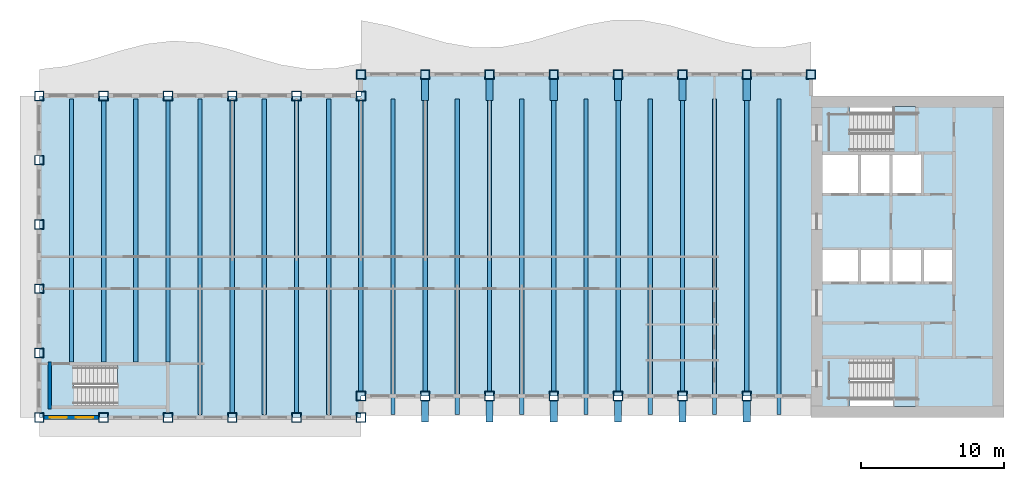
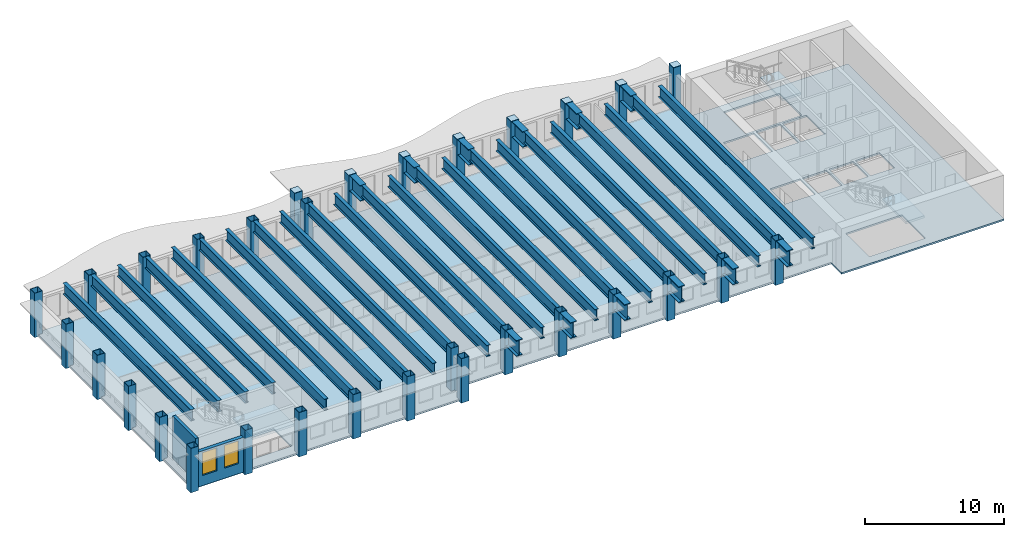
# One storey, part 1 of 12: 35 beams, 31 columns, 8 plates, 4 slabs, 2 walls, 2 windows, 2 openings, 3 elements without a shape of their own.
"""IFC4 building model written with IfcOpenShell, lengths in metres."""

from ifc_helpers import new_model, si_unit, direction, frame, frame_2d, origin, origin_2d, place, context, subcontext, project, spatial, polyline, rectangle, hollow_rectangle, i_section, outline, extrude, material, layer, layer_set, material_profile, profile_set, type_object, element, fill, aggregate, save


model = new_model("IFC4")

# Units and contexts
model_context = context("Model", 3, precision=1e-05, world=origin(), true_north=direction((0.0, 1.0)))
body_context = subcontext(model_context, "Body", "Model", "MODEL_VIEW")
ifc_project = project(units=[si_unit("LENGTHUNIT", "METRE"), si_unit("AREAUNIT", "SQUARE_METRE"), si_unit("VOLUMEUNIT", "CUBIC_METRE"), si_unit("PLANEANGLEUNIT", "RADIAN"), si_unit("MASSUNIT", "GRAM", prefix="KILO")], contexts=[model_context])

# Site, building, storey
site_placement = place(None, origin())
site = spatial("IfcSite", under=ifc_project, at=site_placement, CompositionType="ELEMENT")
building_placement = place(site_placement, origin())
building = spatial("IfcBuilding", under=site, at=building_placement, Name="Sennacour Bend Tower", CompositionType="ELEMENT")
storey_placement = place(building_placement, frame((0.0, 0.0, 293.0)))
storey = spatial("IfcBuildingStorey", under=building, at=storey_placement, Name="L68", CompositionType="ELEMENT", Elevation=293.0)

# Columns
ifc_material_1 = material(Name="Steel ASTM A572 Grade 50", Category="steel")
ifc_material_profile_1 = material_profile(ifc_material_1, hollow_rectangle(XDim=0.64990234375, YDim=0.64990234375, WallThickness=0.031982421875, at=origin_2d()), Name="Steel ASTM A572 Grade 50", Category="steel")
ifc_profile_set_1 = profile_set([ifc_material_profile_1], Name="Steel ASTM A572 Grade 50")
column_type = type_object("IfcColumnType", Name="Box column 650", PredefinedType="COLUMN", material=ifc_profile_set_1)
for number, where, z_axis, x_axis, name in (
    (1, (0.0, 0.0, -0.14990234375), (0.0, 0.0, 1.0), (1.0, 0.0, 0.0), "Perimeter column C5 L68-001"),
    (2, (0.0, 4.5, -0.14990234375), (0.0, 0.0, 1.0), (1.0, 0.0, 0.0), "Perimeter column C5 L68-002"),
    (3, (0.0, 9.0, -0.14990234375), (0.0, 0.0, 1.0), (1.0, 0.0, 0.0), "Perimeter column C5 L68-003"),
    (4, (0.0, 13.5, -0.14990234375), (0.0, 0.0, 1.0), (1.0, 0.0, 0.0), "Perimeter column C5 L68-004"),
    (5, (0.0, 18.0, -0.14990234375), (0.0, 0.0, 1.0), (1.0, 0.0, 0.0), "Perimeter column C5 L68-005"),
    (6, (0.0, 22.5, -0.14990234375), (0.0, 0.0, 1.0), (1.0, 0.0, 0.0), "Perimeter column C5 L68-006"),
    (7, (4.5, 0.0, -0.14990234375), (0.0, 0.0, 1.0), (1.0, 0.0, 0.0), "Perimeter column C5 L68-007"),
    (8, (4.5, 22.5, -0.14990234375), (0.0, 0.0, 1.0), (1.0, 0.0, 0.0), "Perimeter column C5 L68-008"),
    (9, (9.0, 0.0, -0.14990234375), (0.0, 0.0, 1.0), (1.0, 0.0, 0.0), "Perimeter column C5 L68-009"),
    (10, (9.0, 22.5, -0.14990234375), (0.0, 0.0, 1.0), (1.0, 0.0, 0.0), "Perimeter column C5 L68-010"),
    (11, (13.5, 0.0, -0.14990234375), (0.0, 0.0, 1.0), (1.0, 0.0, 0.0), "Perimeter column C5 L68-011"),
    (12, (13.5, 22.5, -0.14990234375), (0.0, 0.0, 1.0), (1.0, 0.0, 0.0), "Perimeter column C5 L68-012"),
    (13, (18.0, 0.0, -0.14990234375), (0.0, 0.0, 1.0), (1.0, 0.0, 0.0), "Perimeter column C5 L68-013"),
    (14, (18.0, 22.5, -0.14990234375), (0.0, 0.0, 1.0), (1.0, 0.0, 0.0), "Perimeter column C5 L68-014"),
    (15, (22.5, 0.0, -0.14990234375), (0.0, 0.0, 1.0), (1.0, 0.0, 0.0), "Perimeter column C5 L68-015"),
    (16, (22.5, 1.5, -0.14990234375), (0.0, 0.0, 1.0), (1.0, 0.0, 0.0), "Perimeter column C5 L68-016"),
    (17, (22.5, 22.5, -0.14990234375), (0.0, 0.0, 1.0), (1.0, 0.0, 0.0), "Perimeter column C5 L68-017"),
    (18, (22.5, 24.0, -0.14990234375), (0.0, 0.0, 1.0), (1.0, 0.0, 0.0), "Perimeter column C5 L68-018"),
    (19, (27.0, 1.5, -0.14990234375), (0.0, 0.0, 1.0), (1.0, 0.0, 0.0), "Perimeter column C5 L68-019"),
    (20, (27.0, 24.0, -0.14990234375), (0.0, 0.0, 1.0), (1.0, 0.0, 0.0), "Perimeter column C5 L68-020"),
    (21, (31.5, 1.5, -0.14990234375), (0.0, 0.0, 1.0), (1.0, 0.0, 0.0), "Perimeter column C5 L68-021"),
    (22, (31.5, 24.0, -0.14990234375), (0.0, 0.0, 1.0), (1.0, 0.0, 0.0), "Perimeter column C5 L68-022"),
    (23, (36.0, 1.5, -0.14990234375), (0.0, 0.0, 1.0), (1.0, 0.0, 0.0), "Perimeter column C5 L68-023"),
    (24, (36.0, 24.0, -0.14990234375), (0.0, 0.0, 1.0), (1.0, 0.0, 0.0), "Perimeter column C5 L68-024"),
    (25, (40.5, 1.5, -0.14990234375), (0.0, 0.0, 1.0), (1.0, 0.0, 0.0), "Perimeter column C5 L68-025"),
    (26, (40.5, 24.0, -0.14990234375), (0.0, 0.0, 1.0), (1.0, 0.0, 0.0), "Perimeter column C5 L68-026"),
    (27, (45.0, 1.5, -0.14990234375), (0.0, 0.0, 1.0), (1.0, 0.0, 0.0), "Perimeter column C5 L68-027"),
    (28, (45.0, 24.0, -0.14990234375), (0.0, 0.0, 1.0), (1.0, 0.0, 0.0), "Perimeter column C5 L68-028"),
    (29, (49.5, 1.5, -0.14990234375), (0.0, 0.0, 1.0), (1.0, 0.0, 0.0), "Perimeter column C5 L68-029"),
    (30, (49.5, 24.0, -0.14990234375), (0.0, 0.0, 1.0), (1.0, 0.0, 0.0), "Perimeter column C5 L68-030"),
    (31, (54.0, 24.0, -0.14990234375), (0.0, 0.0, 1.0), (1.0, 0.0, 0.0), "Perimeter column C5 L68-031"),
):
    element("IfcColumn", number, at=place(storey_placement, frame(where, z_axis=z_axis, x_axis=x_axis)), inside=storey, type_object=column_type, Name=name, PredefinedType="COLUMN", context=body_context, shape_type="SweptSolid", body=[
        extrude(hollow_rectangle(XDim=0.64990234375, YDim=0.64990234375, WallThickness=0.031982421875, at=origin_2d()), origin(), (0.0, 0.0, 1.0), 3.89990234375),
    ])

# Beams
ifc_material_2 = material(Name="Steel ASTM A992 Grade 50", Category="steel")
ifc_material_profile_2 = material_profile(ifc_material_2, i_section(OverallWidth=0.300048828125, OverallDepth=0.97998046875, WebThickness=0.0166015625, FlangeThickness=0.026123046875, FilletRadius=0.02978515625, at=origin_2d()), Name="Steel ASTM A992 Grade 50", Category="steel")
ifc_profile_set_2 = profile_set([ifc_material_profile_2], Name="Steel ASTM A992 Grade 50")
beam_type_1 = type_object("IfcBeamType", Name="Floor beam W1000X249", PredefinedType="BEAM", material=ifc_profile_set_2)
beam_1_placement = place(storey_placement, frame((2.25, 3.875, 3.260009765625), z_axis=(0.0, 1.0, 0.0), x_axis=(-1.0, 0.0, 0.0)))
element("IfcBeam", 32, at=beam_1_placement, inside=storey, type_object=beam_type_1, Name="Floor beam FBM2 L69-001", PredefinedType="BEAM", context=body_context, shape_type="SweptSolid", body=[
    extrude(i_section(OverallWidth=0.300048828125, OverallDepth=0.97998046875, WebThickness=0.0166015625, FlangeThickness=0.026123046875, FilletRadius=0.02978515625, at=origin_2d()), origin(), (0.0, 0.0, 1.0), 18.41552734375),
])
beam_2_placement = place(storey_placement, frame((4.5, 3.875, 3.260009765625), z_axis=(0.0, 1.0, 0.0), x_axis=(-1.0, 0.0, 0.0)))
element("IfcBeam", 33, at=beam_2_placement, inside=storey, type_object=beam_type_1, Name="Floor beam FBM2 L69-002", PredefinedType="BEAM", context=body_context, shape_type="SweptSolid", body=[
    extrude(i_section(OverallWidth=0.300048828125, OverallDepth=0.97998046875, WebThickness=0.0166015625, FlangeThickness=0.026123046875, FilletRadius=0.02978515625, at=origin_2d()), origin(), (0.0, 0.0, 1.0), 18.300048828125),
])
beam_3_placement = place(storey_placement, frame((6.75, 3.875, 3.260009765625), z_axis=(0.0, 1.0, 0.0), x_axis=(-1.0, 0.0, 0.0)))
element("IfcBeam", 34, at=beam_3_placement, inside=storey, type_object=beam_type_1, Name="Floor beam FBM2 L69-003", PredefinedType="BEAM", context=body_context, shape_type="SweptSolid", body=[
    extrude(i_section(OverallWidth=0.300048828125, OverallDepth=0.97998046875, WebThickness=0.0166015625, FlangeThickness=0.026123046875, FilletRadius=0.02978515625, at=origin_2d()), origin(), (0.0, 0.0, 1.0), 18.41552734375),
])
beam_4_placement = place(storey_placement, frame((9.0, 3.875, 3.260009765625), z_axis=(0.0, 1.0, 0.0), x_axis=(-1.0, 0.0, 0.0)))
element("IfcBeam", 35, at=beam_4_placement, inside=storey, type_object=beam_type_1, Name="Floor beam FBM2 L69-004", PredefinedType="BEAM", context=body_context, shape_type="SweptSolid", body=[
    extrude(i_section(OverallWidth=0.300048828125, OverallDepth=0.97998046875, WebThickness=0.0166015625, FlangeThickness=0.026123046875, FilletRadius=0.02978515625, at=origin_2d()), origin(), (0.0, 0.0, 1.0), 18.300048828125),
])
beam_5_placement = place(storey_placement, frame((11.25, 0.20947265625, 3.260009765625), z_axis=(0.0, 1.0, 0.0), x_axis=(-1.0, 0.0, 0.0)))
element("IfcBeam", 36, at=beam_5_placement, inside=storey, type_object=beam_type_1, Name="Floor beam FBM2 L69-005", PredefinedType="BEAM", context=body_context, shape_type="SweptSolid", body=[
    extrude(i_section(OverallWidth=0.300048828125, OverallDepth=0.97998046875, WebThickness=0.0166015625, FlangeThickness=0.026123046875, FilletRadius=0.02978515625, at=origin_2d()), origin(), (0.0, 0.0, 1.0), 22.0810546875),
])
beam_6_placement = place(storey_placement, frame((13.5, 0.324951171875, 3.260009765625), z_axis=(0.0, 1.0, 0.0), x_axis=(-1.0, 0.0, 0.0)))
element("IfcBeam", 37, at=beam_6_placement, inside=storey, type_object=beam_type_1, Name="Floor beam FBM2 L69-006", PredefinedType="BEAM", context=body_context, shape_type="SweptSolid", body=[
    extrude(i_section(OverallWidth=0.300048828125, OverallDepth=0.97998046875, WebThickness=0.0166015625, FlangeThickness=0.026123046875, FilletRadius=0.02978515625, at=origin_2d()), origin(), (0.0, 0.0, 1.0), 21.85009765625),
])
beam_7_placement = place(storey_placement, frame((15.75, 0.20947265625, 3.260009765625), z_axis=(0.0, 1.0, 0.0), x_axis=(-1.0, 0.0, 0.0)))
element("IfcBeam", 38, at=beam_7_placement, inside=storey, type_object=beam_type_1, Name="Floor beam FBM2 L69-007", PredefinedType="BEAM", context=body_context, shape_type="SweptSolid", body=[
    extrude(i_section(OverallWidth=0.300048828125, OverallDepth=0.97998046875, WebThickness=0.0166015625, FlangeThickness=0.026123046875, FilletRadius=0.02978515625, at=origin_2d()), origin(), (0.0, 0.0, 1.0), 22.0810546875),
])
beam_8_placement = place(storey_placement, frame((18.0, 0.324951171875, 3.260009765625), z_axis=(0.0, 1.0, 0.0), x_axis=(-1.0, 0.0, 0.0)))
element("IfcBeam", 39, at=beam_8_placement, inside=storey, type_object=beam_type_1, Name="Floor beam FBM2 L69-008", PredefinedType="BEAM", context=body_context, shape_type="SweptSolid", body=[
    extrude(i_section(OverallWidth=0.300048828125, OverallDepth=0.97998046875, WebThickness=0.0166015625, FlangeThickness=0.026123046875, FilletRadius=0.02978515625, at=origin_2d()), origin(), (0.0, 0.0, 1.0), 21.85009765625),
])
beam_9_placement = place(storey_placement, frame((20.25, 0.20947265625, 3.260009765625), z_axis=(0.0, 1.0, 0.0), x_axis=(-1.0, 0.0, 0.0)))
element("IfcBeam", 40, at=beam_9_placement, inside=storey, type_object=beam_type_1, Name="Floor beam FBM2 L69-009", PredefinedType="BEAM", context=body_context, shape_type="SweptSolid", body=[
    extrude(i_section(OverallWidth=0.300048828125, OverallDepth=0.97998046875, WebThickness=0.0166015625, FlangeThickness=0.026123046875, FilletRadius=0.02978515625, at=origin_2d()), origin(), (0.0, 0.0, 1.0), 22.0810546875),
])
beam_10_placement = place(storey_placement, frame((22.5, 1.824951171875, 3.260009765625), z_axis=(0.0, 1.0, 0.0), x_axis=(-1.0, 0.0, 0.0)))
element("IfcBeam", 41, at=beam_10_placement, inside=storey, type_object=beam_type_1, Name="Floor beam FBM2 L69-010", PredefinedType="BEAM", context=body_context, shape_type="SweptSolid", body=[
    extrude(i_section(OverallWidth=0.300048828125, OverallDepth=0.97998046875, WebThickness=0.0166015625, FlangeThickness=0.026123046875, FilletRadius=0.02978515625, at=origin_2d()), origin(), (0.0, 0.0, 1.0), 20.35009765625),
])
beam_11_placement = place(storey_placement, frame((24.75, 0.20947265625, 3.260009765625), z_axis=(0.0, 1.0, 0.0), x_axis=(-1.0, 0.0, 0.0)))
element("IfcBeam", 42, at=beam_11_placement, inside=storey, type_object=beam_type_1, Name="Floor beam FBM2 L69-011", PredefinedType="BEAM", context=body_context, shape_type="SweptSolid", body=[
    extrude(i_section(OverallWidth=0.300048828125, OverallDepth=0.97998046875, WebThickness=0.0166015625, FlangeThickness=0.026123046875, FilletRadius=0.02978515625, at=origin_2d()), origin(), (0.0, 0.0, 1.0), 22.0810546875),
])
beam_12_placement = place(storey_placement, frame((27.0, 1.824951171875, 3.260009765625), z_axis=(0.0, 1.0, 0.0), x_axis=(-1.0, 0.0, 0.0)))
element("IfcBeam", 43, at=beam_12_placement, inside=storey, type_object=beam_type_1, Name="Floor beam FBM2 L69-012", PredefinedType="BEAM", context=body_context, shape_type="SweptSolid", body=[
    extrude(i_section(OverallWidth=0.300048828125, OverallDepth=0.97998046875, WebThickness=0.0166015625, FlangeThickness=0.026123046875, FilletRadius=0.02978515625, at=origin_2d()), origin(), (0.0, 0.0, 1.0), 20.35009765625),
])
beam_13_placement = place(storey_placement, frame((29.25, 0.20947265625, 3.260009765625), z_axis=(0.0, 1.0, 0.0), x_axis=(-1.0, 0.0, 0.0)))
element("IfcBeam", 44, at=beam_13_placement, inside=storey, type_object=beam_type_1, Name="Floor beam FBM2 L69-013", PredefinedType="BEAM", context=body_context, shape_type="SweptSolid", body=[
    extrude(i_section(OverallWidth=0.300048828125, OverallDepth=0.97998046875, WebThickness=0.0166015625, FlangeThickness=0.026123046875, FilletRadius=0.02978515625, at=origin_2d()), origin(), (0.0, 0.0, 1.0), 22.0810546875),
])
beam_14_placement = place(storey_placement, frame((31.5, 1.824951171875, 3.260009765625), z_axis=(0.0, 1.0, 0.0), x_axis=(-1.0, 0.0, 0.0)))
element("IfcBeam", 45, at=beam_14_placement, inside=storey, type_object=beam_type_1, Name="Floor beam FBM2 L69-014", PredefinedType="BEAM", context=body_context, shape_type="SweptSolid", body=[
    extrude(i_section(OverallWidth=0.300048828125, OverallDepth=0.97998046875, WebThickness=0.0166015625, FlangeThickness=0.026123046875, FilletRadius=0.02978515625, at=origin_2d()), origin(), (0.0, 0.0, 1.0), 20.35009765625),
])
beam_15_placement = place(storey_placement, frame((33.75, 0.20947265625, 3.260009765625), z_axis=(0.0, 1.0, 0.0), x_axis=(-1.0, 0.0, 0.0)))
element("IfcBeam", 46, at=beam_15_placement, inside=storey, type_object=beam_type_1, Name="Floor beam FBM2 L69-015", PredefinedType="BEAM", context=body_context, shape_type="SweptSolid", body=[
    extrude(i_section(OverallWidth=0.300048828125, OverallDepth=0.97998046875, WebThickness=0.0166015625, FlangeThickness=0.026123046875, FilletRadius=0.02978515625, at=origin_2d()), origin(), (0.0, 0.0, 1.0), 22.0810546875),
])
beam_16_placement = place(storey_placement, frame((36.0, 1.824951171875, 3.260009765625), z_axis=(0.0, 1.0, 0.0), x_axis=(-1.0, 0.0, 0.0)))
element("IfcBeam", 47, at=beam_16_placement, inside=storey, type_object=beam_type_1, Name="Floor beam FBM2 L69-016", PredefinedType="BEAM", context=body_context, shape_type="SweptSolid", body=[
    extrude(i_section(OverallWidth=0.300048828125, OverallDepth=0.97998046875, WebThickness=0.0166015625, FlangeThickness=0.026123046875, FilletRadius=0.02978515625, at=origin_2d()), origin(), (0.0, 0.0, 1.0), 20.35009765625),
])
beam_17_placement = place(storey_placement, frame((38.25, 0.20947265625, 3.260009765625), z_axis=(0.0, 1.0, 0.0), x_axis=(-1.0, 0.0, 0.0)))
element("IfcBeam", 48, at=beam_17_placement, inside=storey, type_object=beam_type_1, Name="Floor beam FBM2 L69-017", PredefinedType="BEAM", context=body_context, shape_type="SweptSolid", body=[
    extrude(i_section(OverallWidth=0.300048828125, OverallDepth=0.97998046875, WebThickness=0.0166015625, FlangeThickness=0.026123046875, FilletRadius=0.02978515625, at=origin_2d()), origin(), (0.0, 0.0, 1.0), 22.0810546875),
])
beam_18_placement = place(storey_placement, frame((40.5, 1.824951171875, 3.260009765625), z_axis=(0.0, 1.0, 0.0), x_axis=(-1.0, 0.0, 0.0)))
element("IfcBeam", 49, at=beam_18_placement, inside=storey, type_object=beam_type_1, Name="Floor beam FBM2 L69-018", PredefinedType="BEAM", context=body_context, shape_type="SweptSolid", body=[
    extrude(i_section(OverallWidth=0.300048828125, OverallDepth=0.97998046875, WebThickness=0.0166015625, FlangeThickness=0.026123046875, FilletRadius=0.02978515625, at=origin_2d()), origin(), (0.0, 0.0, 1.0), 20.35009765625),
])
beam_19_placement = place(storey_placement, frame((42.75, 0.20947265625, 3.260009765625), z_axis=(0.0, 1.0, 0.0), x_axis=(-1.0, 0.0, 0.0)))
element("IfcBeam", 50, at=beam_19_placement, inside=storey, type_object=beam_type_1, Name="Floor beam FBM2 L69-019", PredefinedType="BEAM", context=body_context, shape_type="SweptSolid", body=[
    extrude(i_section(OverallWidth=0.300048828125, OverallDepth=0.97998046875, WebThickness=0.0166015625, FlangeThickness=0.026123046875, FilletRadius=0.02978515625, at=origin_2d()), origin(), (0.0, 0.0, 1.0), 22.0810546875),
])
beam_20_placement = place(storey_placement, frame((45.0, 1.824951171875, 3.260009765625), z_axis=(0.0, 1.0, 0.0), x_axis=(-1.0, 0.0, 0.0)))
element("IfcBeam", 51, at=beam_20_placement, inside=storey, type_object=beam_type_1, Name="Floor beam FBM2 L69-020", PredefinedType="BEAM", context=body_context, shape_type="SweptSolid", body=[
    extrude(i_section(OverallWidth=0.300048828125, OverallDepth=0.97998046875, WebThickness=0.0166015625, FlangeThickness=0.026123046875, FilletRadius=0.02978515625, at=origin_2d()), origin(), (0.0, 0.0, 1.0), 20.35009765625),
])
beam_21_placement = place(storey_placement, frame((47.25, 0.20947265625, 3.260009765625), z_axis=(0.0, 1.0, 0.0), x_axis=(-1.0, 0.0, 0.0)))
element("IfcBeam", 52, at=beam_21_placement, inside=storey, type_object=beam_type_1, Name="Floor beam FBM2 L69-021", PredefinedType="BEAM", context=body_context, shape_type="SweptSolid", body=[
    extrude(i_section(OverallWidth=0.300048828125, OverallDepth=0.97998046875, WebThickness=0.0166015625, FlangeThickness=0.026123046875, FilletRadius=0.02978515625, at=origin_2d()), origin(), (0.0, 0.0, 1.0), 22.0810546875),
])
beam_22_placement = place(storey_placement, frame((49.5, 1.824951171875, 3.260009765625), z_axis=(0.0, 1.0, 0.0), x_axis=(-1.0, 0.0, 0.0)))
element("IfcBeam", 53, at=beam_22_placement, inside=storey, type_object=beam_type_1, Name="Floor beam FBM2 L69-022", PredefinedType="BEAM", context=body_context, shape_type="SweptSolid", body=[
    extrude(i_section(OverallWidth=0.300048828125, OverallDepth=0.97998046875, WebThickness=0.0166015625, FlangeThickness=0.026123046875, FilletRadius=0.02978515625, at=origin_2d()), origin(), (0.0, 0.0, 1.0), 20.35009765625),
])
beam_23_placement = place(storey_placement, frame((51.75, 0.20947265625, 3.260009765625), z_axis=(0.0, 1.0, 0.0), x_axis=(-1.0, 0.0, 0.0)))
element("IfcBeam", 54, at=beam_23_placement, inside=storey, type_object=beam_type_1, Name="Floor beam FBM2 L69-023", PredefinedType="BEAM", context=body_context, shape_type="SweptSolid", body=[
    extrude(i_section(OverallWidth=0.300048828125, OverallDepth=0.97998046875, WebThickness=0.0166015625, FlangeThickness=0.026123046875, FilletRadius=0.02978515625, at=origin_2d()), origin(), (0.0, 0.0, 1.0), 22.0810546875),
])
ifc_material_profile_3 = material_profile(ifc_material_1, i_section(OverallWidth=0.5, OverallDepth=1.39990234375, WebThickness=0.030029296875, FlangeThickness=0.054931640625, at=origin_2d()), Name="Steel ASTM A572 Grade 50", Category="steel")
ifc_profile_set_3 = profile_set([ifc_material_profile_3], Name="Steel ASTM A572 Grade 50")
beam_type_2 = type_object("IfcBeamType", Name="Transfer stub 1400", PredefinedType="USERDEFINED", material=ifc_profile_set_3)
for number, where, z_axis, x_axis, name in (
    (55, (27.0, 1.175048828125, 3.050048828125), (0.0, -1.0, 0.0), (1.0, 0.0, 0.0), "Transfer beam TS L69-001"),
    (56, (27.0, 23.675048828125, 3.050048828125), (0.0, -1.0, 0.0), (1.0, 0.0, 0.0), "Transfer beam TS L69-002"),
    (57, (31.5, 1.175048828125, 3.050048828125), (0.0, -1.0, 0.0), (1.0, 0.0, 0.0), "Transfer beam TS L69-003"),
    (58, (31.5, 23.675048828125, 3.050048828125), (0.0, -1.0, 0.0), (1.0, 0.0, 0.0), "Transfer beam TS L69-004"),
    (59, (36.0, 1.175048828125, 3.050048828125), (0.0, -1.0, 0.0), (1.0, 0.0, 0.0), "Transfer beam TS L69-005"),
    (60, (36.0, 23.675048828125, 3.050048828125), (0.0, -1.0, 0.0), (1.0, 0.0, 0.0), "Transfer beam TS L69-006"),
    (61, (40.5, 1.175048828125, 3.050048828125), (0.0, -1.0, 0.0), (1.0, 0.0, 0.0), "Transfer beam TS L69-007"),
    (62, (40.5, 23.675048828125, 3.050048828125), (0.0, -1.0, 0.0), (1.0, 0.0, 0.0), "Transfer beam TS L69-008"),
    (63, (45.0, 1.175048828125, 3.050048828125), (0.0, -1.0, 0.0), (1.0, 0.0, 0.0), "Transfer beam TS L69-009"),
    (64, (45.0, 23.675048828125, 3.050048828125), (0.0, -1.0, 0.0), (1.0, 0.0, 0.0), "Transfer beam TS L69-010"),
    (65, (49.5, 1.175048828125, 3.050048828125), (0.0, -1.0, 0.0), (1.0, 0.0, 0.0), "Transfer beam TS L69-011"),
    (66, (49.5, 23.675048828125, 3.050048828125), (0.0, -1.0, 0.0), (1.0, 0.0, 0.0), "Transfer beam TS L69-012"),
):
    element("IfcBeam", number, at=place(storey_placement, frame(where, z_axis=z_axis, x_axis=x_axis)), inside=storey, type_object=beam_type_2, Name=name, ObjectType="TRANSFER BEAM", PredefinedType="USERDEFINED", context=body_context, shape_type="SweptSolid", body=[
        extrude(i_section(OverallWidth=0.5, OverallDepth=1.39990234375, WebThickness=0.030029296875, FlangeThickness=0.054931640625, at=origin_2d()), origin(), (0.0, 0.0, 1.0), 1.5),
    ])

# Plates
ifc_layer_1 = layer(ifc_material_1, 0.02490234375, Name="Steel ASTM A572 Grade 50", Category="steel")
ifc_layer_set_1 = layer_set([ifc_layer_1], Name="Steel ASTM A572 Grade 50")
plate_type = type_object("IfcPlateType", Name="Column cap plate 650", PredefinedType="USERDEFINED", material=ifc_layer_set_1)
for number, where, z_axis, x_axis, name in (
    (67, (22.5, 24.0, 3.75), (0.0, 0.0, 1.0), (1.0, 0.0, 0.0), "Column cap plate L68-018"),
    (68, (27.0, 24.0, 3.75), (0.0, 0.0, 1.0), (1.0, 0.0, 0.0), "Column cap plate L68-020"),
    (69, (31.5, 24.0, 3.75), (0.0, 0.0, 1.0), (1.0, 0.0, 0.0), "Column cap plate L68-022"),
    (70, (36.0, 24.0, 3.75), (0.0, 0.0, 1.0), (1.0, 0.0, 0.0), "Column cap plate L68-024"),
    (71, (40.5, 24.0, 3.75), (0.0, 0.0, 1.0), (1.0, 0.0, 0.0), "Column cap plate L68-026"),
    (72, (45.0, 24.0, 3.75), (0.0, 0.0, 1.0), (1.0, 0.0, 0.0), "Column cap plate L68-028"),
    (73, (49.5, 24.0, 3.75), (0.0, 0.0, 1.0), (1.0, 0.0, 0.0), "Column cap plate L68-030"),
    (74, (54.0, 24.0, 3.75), (0.0, 0.0, 1.0), (1.0, 0.0, 0.0), "Column cap plate L68-031"),
):
    element("IfcPlate", number, at=place(storey_placement, frame(where, z_axis=z_axis, x_axis=x_axis)), inside=storey, type_object=plate_type, Name=name, ObjectType="END PLATE", PredefinedType="USERDEFINED", context=body_context, shape_type="SweptSolid", body=[
        extrude(rectangle(XDim=0.64990234375, YDim=0.64990234375, at=origin_2d()), origin(), (0.0, 0.0, 1.0), 0.02490234375),
    ])

# Slab
ifc_material_3 = material(Name="Concrete C30/37", Category="concrete")
ifc_layer_2 = layer(ifc_material_3, 0.14990234375, Name="Concrete C30/37", Category="concrete")
ifc_layer_set_2 = layer_set([ifc_layer_2], Name="Concrete C30/37")
slab_type_1 = type_object("IfcSlabType", Name="Floor slab 150", PredefinedType="FLOOR", material=ifc_layer_set_2)
slab_1_placement = place(storey_placement, frame((0.0, 0.0, -0.14990234375)))
element("IfcSlab", 75, at=slab_1_placement, inside=storey, type_object=slab_type_1, Name="Floor slab L68-01", PredefinedType="FLOOR", context=body_context, shape_type="SweptSolid", body=[
    extrude(outline(polyline([(0.0, 0.0), (0.0, 22.5), (22.5, 22.5), (22.5, 24.0), (54.0, 24.0), (54.0, 22.5), (67.5, 22.5), (67.5, 0.0), (54.0, 0.0), (54.0, 1.5), (22.5, 1.5), (22.5, 0.0), (0.0, 0.0)]), holes=[polyline([(8.800048828125, 3.5), (2.429931640625, 3.5), (2.429931640625, 0.949951171875), (8.800048828125, 0.949951171875), (8.800048828125, 3.5)]), polyline([(61.39990234375, 4.125), (56.72998046875, 4.125), (56.72998046875, 0.75), (61.39990234375, 0.75), (61.39990234375, 4.125)]), polyline([(57.300048828125, 11.699951171875), (54.800048828125, 11.699951171875), (54.800048828125, 9.5), (57.300048828125, 9.5), (57.300048828125, 11.699951171875)]), polyline([(59.5, 9.5), (59.5, 11.699951171875), (57.5, 11.699951171875), (57.5, 9.5), (59.5, 9.5)]), polyline([(61.699951171875, 9.5), (61.699951171875, 11.699951171875), (59.699951171875, 11.699951171875), (59.699951171875, 9.5), (61.699951171875, 9.5)]), polyline([(63.89990234375, 11.699951171875), (61.89990234375, 11.699951171875), (61.89990234375, 9.5), (63.89990234375, 9.5), (63.89990234375, 11.699951171875)]), polyline([(57.300048828125, 18.39990234375), (54.800048828125, 18.39990234375), (54.800048828125, 15.699951171875), (57.300048828125, 15.699951171875), (57.300048828125, 18.39990234375)]), polyline([(59.5, 18.39990234375), (57.5, 18.39990234375), (57.5, 15.699951171875), (59.5, 15.699951171875), (59.5, 18.39990234375)]), polyline([(61.699951171875, 15.699951171875), (61.699951171875, 18.39990234375), (59.699951171875, 18.39990234375), (59.699951171875, 15.699951171875), (61.699951171875, 15.699951171875)]), polyline([(61.39990234375, 18.574951171875), (61.39990234375, 21.75), (56.72998046875, 21.75), (56.72998046875, 18.574951171875), (61.39990234375, 18.574951171875)])]), origin(), (0.0, 0.0, 1.0), 0.14990234375),
])

# Stair, slab
ifc_material_4 = material(Name="Concrete C40/50", Category="concrete")
stair_type = type_object("IfcStairType", Name="ST-DOGLEG", PredefinedType="HALF_TURN_STAIR", material=ifc_material_4)
stair_1_placement = place(storey_placement, origin())
stair_1 = element("IfcStair", 76, at=stair_1_placement, inside=storey, type_object=stair_type, Name="L68 Exit stair A1", PredefinedType="HALF_TURN_STAIR")
ifc_layer_3 = layer(ifc_material_4, 0.199951171875, Name="Concrete C40/50", Category="concrete")
ifc_layer_set_3 = layer_set([ifc_layer_3], Name="Concrete C40/50")
slab_type_2 = type_object("IfcSlabType", Name="Stair landing 200", PredefinedType="LANDING", material=ifc_layer_set_3)
slab_2_placement = place(storey_placement, frame((0.0, 0.0, 1.800048828125)))
slab_2 = element("IfcSlab", 77, at=slab_2_placement, type_object=slab_type_2, Name="SA1 landing 1", PredefinedType="LANDING", context=body_context, shape_type="SweptSolid", body=[
    extrude(outline(polyline([(59.780029296875, 0.75), (61.324951171875, 0.75), (61.324951171875, 4.125), (59.780029296875, 4.125), (59.780029296875, 0.75)])), origin(), (0.0, 0.0, 1.0), 0.199951171875),
])
aggregate(stair_1, [slab_2])

stair_2_placement = place(storey_placement, origin())
stair_2 = element("IfcStair", 78, at=stair_2_placement, inside=storey, type_object=stair_type, Name="L68 Exit stair A2", PredefinedType="HALF_TURN_STAIR")
slab_3_placement = place(storey_placement, frame((0.0, 0.0, 1.800048828125)))
slab_3 = element("IfcSlab", 79, at=slab_3_placement, type_object=slab_type_2, Name="SA2 landing 1", PredefinedType="LANDING", context=body_context, shape_type="SweptSolid", body=[
    extrude(outline(polyline([(59.780029296875, 18.574951171875), (61.324951171875, 18.574951171875), (61.324951171875, 21.75), (59.780029296875, 21.75), (59.780029296875, 18.574951171875)])), origin(), (0.0, 0.0, 1.0), 0.199951171875),
])
aggregate(stair_2, [slab_3])

stair_3_placement = place(storey_placement, origin())
stair_3 = element("IfcStair", 80, at=stair_3_placement, inside=storey, type_object=stair_type, Name="L68 Exit stair K1", PredefinedType="HALF_TURN_STAIR")
slab_4_placement = place(storey_placement, frame((0.0, 0.0, 1.800048828125)))
slab_4 = element("IfcSlab", 81, at=slab_4_placement, type_object=slab_type_2, Name="SK1 landing 1", PredefinedType="LANDING", context=body_context, shape_type="SweptSolid", body=[
    extrude(outline(polyline([(5.47998046875, 0.800048828125), (8.925048828125, 0.800048828125), (8.925048828125, 3.675048828125), (5.47998046875, 3.675048828125), (5.47998046875, 0.800048828125)])), origin(), (0.0, 0.0, 1.0), 0.199951171875),
])
aggregate(stair_3, [slab_4])

# Wall, openings, windows
ifc_material_5 = material(Name="Warm limestone cladding", Category="masonry")
ifc_layer_4 = layer(ifc_material_5, 0.050048828125, Name="Warm limestone cladding", Category="masonry")
ifc_material_6 = material(Name="Precast concrete C40/50", Category="concrete")
ifc_layer_5 = layer(ifc_material_6, 0.25, Name="Precast concrete C40/50", Category="concrete")
ifc_layer_set_4 = layer_set([ifc_layer_4, ifc_layer_5], Name="Precast concrete C40/50 with limestone cladding")
wall_type_1 = type_object("IfcWallType", Name="STONE-CLAD PRECAST SPANDREL 300", PredefinedType="STANDARD", material=ifc_layer_set_4)
wall_1_placement = place(storey_placement, frame((0.324951171875, 0.0, 0.0), z_axis=(0.0, 0.0, 1.0), x_axis=(1.0, 0.0, 0.0)))
wall_1 = element("IfcWall", 82, at=wall_1_placement, inside=storey, type_object=wall_type_1, Name="Stone spandrel and pier wall L68 11.00", PredefinedType="STANDARD", context=body_context, shape_type="SweptSolid", body=[
    extrude(rectangle(XDim=3.85009765625, YDim=0.300048828125, at=frame_2d((1.925048828125, 0.0))), origin(), (0.0, 0.0, 1.0), 3.06201171875),
])
opening_1_placement = place(wall_1_placement, frame((0.41259765625, 0.0, 0.89990234375)))
opening_1 = element("IfcOpeningElement", 83, at=opening_1_placement, cuts=wall_1, Name="Opening W14", PredefinedType="OPENING", context=body_context, shape_type="SweptSolid", body=[
    extrude(rectangle(XDim=1.199951171875, YDim=2.0, at=frame_2d((0.60009765625, 1.0))), frame((0.0, 0.16015625, 0.0), z_axis=(0.0, -1.0, 0.0), x_axis=(1.0, 0.0, 0.0)), (0.0, 0.0, 1.0), 0.320068359375),
])
opening_2_placement = place(wall_1_placement, frame((2.237548828125, 0.0, 0.89990234375)))
opening_2 = element("IfcOpeningElement", 84, at=opening_2_placement, cuts=wall_1, Name="Opening W14", PredefinedType="OPENING", context=body_context, shape_type="SweptSolid", body=[
    extrude(rectangle(XDim=1.199951171875, YDim=2.0, at=frame_2d((0.60009765625, 1.0))), frame((0.0, 0.16015625, 0.0), z_axis=(0.0, -1.0, 0.0), x_axis=(1.0, 0.0, 0.0)), (0.0, 0.0, 1.0), 0.320068359375),
])
ifc_material_7 = material(Name="Clear low-emissivity glass", Category="glass")
window_type = type_object("IfcWindowType", Name="WIN-RIBBON-1200x2000", PartitioningType="SINGLE_PANEL", PredefinedType="WINDOW", material=ifc_material_7)
window_1_placement = place(opening_1_placement, origin())
window_1 = element("IfcWindow", 85, at=window_1_placement, inside=storey, type_object=window_type, Name="Ribbon window L68 11.00.0", OverallHeight=2.0, OverallWidth=1.199951171875, PartitioningType="SINGLE_PANEL", PredefinedType="WINDOW", context=body_context, shape_type="SweptSolid", body=[
    extrude(rectangle(XDim=1.199951171875, YDim=2.0, at=frame_2d((0.60009765625, 1.0))), frame((0.0, 0.030029296875, 0.0), z_axis=(0.0, -1.0, 0.0), x_axis=(1.0, 0.0, 0.0)), (0.0, 0.0, 1.0), 0.06005859375),
])
fill(opening_1, window_1)
window_2_placement = place(opening_2_placement, origin())
window_2 = element("IfcWindow", 86, at=window_2_placement, inside=storey, type_object=window_type, Name="Ribbon window L68 11.00.1", OverallHeight=2.0, OverallWidth=1.199951171875, PartitioningType="SINGLE_PANEL", PredefinedType="WINDOW", context=body_context, shape_type="SweptSolid", body=[
    extrude(rectangle(XDim=1.199951171875, YDim=2.0, at=frame_2d((0.60009765625, 1.0))), frame((0.0, 0.030029296875, 0.0), z_axis=(0.0, -1.0, 0.0), x_axis=(1.0, 0.0, 0.0)), (0.0, 0.0, 1.0), 0.06005859375),
])
fill(opening_2, window_2)

# Wall
ifc_material_8 = material(Name="Concrete C60/75", Category="concrete")
ifc_layer_6 = layer(ifc_material_8, 0.25, Name="Concrete C60/75", Category="concrete")
ifc_layer_set_5 = layer_set([ifc_layer_6], Name="Concrete C60/75")
wall_type_2 = type_object("IfcWallType", Name="Stair wall 250", PredefinedType="SHEAR", material=ifc_layer_set_5)
wall_2_placement = place(storey_placement, frame((0.72509765625, 0.60009765625, 0.0), z_axis=(0.0, 0.0, 1.0), x_axis=(0.0, 1.0, 0.0)))
element("IfcWall", 87, at=wall_2_placement, inside=storey, type_object=wall_type_2, Name="P-L68-W002", PredefinedType="SHEAR", context=body_context, shape_type="SweptSolid", body=[
    extrude(rectangle(XDim=3.27490234375, YDim=0.25, at=frame_2d((1.637451171875, 0.0))), origin(), (0.0, 0.0, 1.0), 3.75),
])

save(model, "model.ifc")
